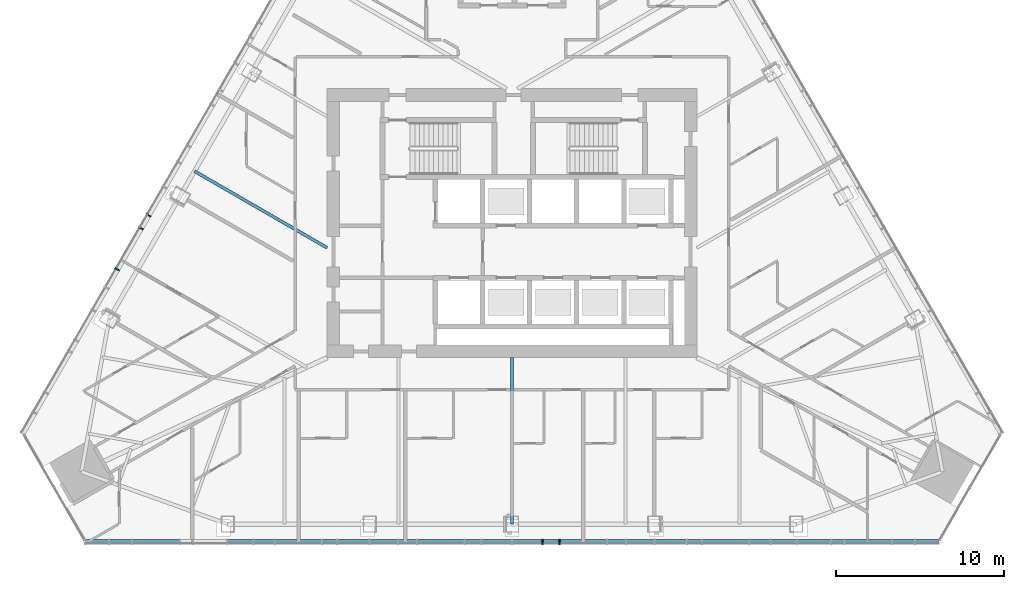
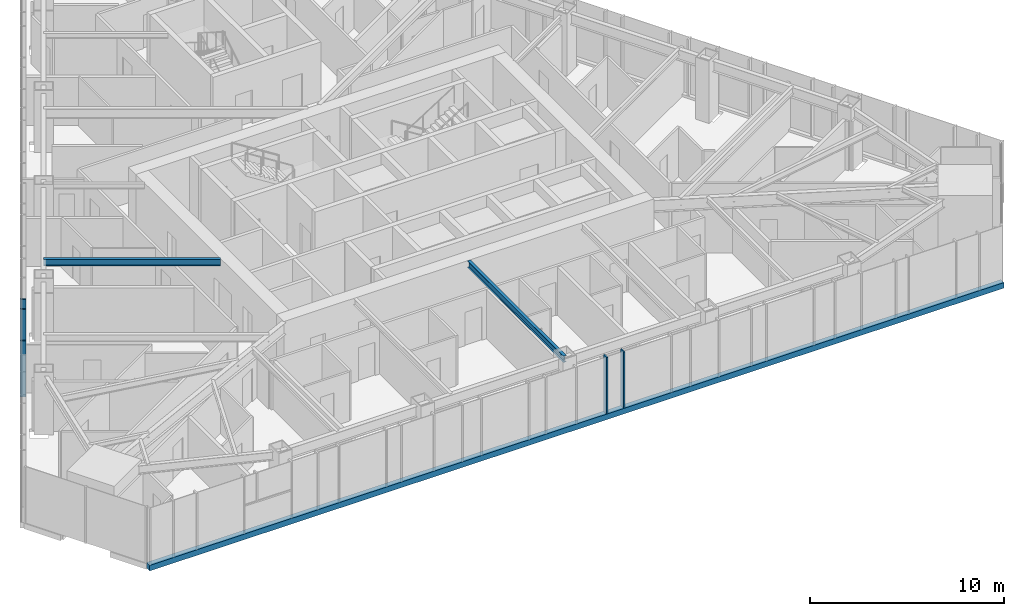
# One storey, part 3 of 19: 6 members, 2 beams, 2 elements without a shape of their own.
"""IFC4 building model written with IfcOpenShell, lengths in metres."""

import ifcopenshell
import ifcopenshell.guid

model = None  # the IFC model being written
_history = None  # IfcOwnerHistory: only IFC2X3 demands one
_inside = {}  # id of a spatial element -> (the spatial element, [elements in it])
_under = {}  # id of a project, library or spatial element -> (it, [spatial elements below it])
_declared = {}  # id of a project -> (the project, [libraries it declares])
_typed = {}  # id of a type object -> (the type object, [elements of that type])
_made_of = {}  # id of a material, layer set ... -> (it, [elements and type objects made of it])


def new_model(schema):
    """Start an empty IFC model of exactly this schema.

    Asked for "IFC4X3", IfcOpenShell would pick the latest addendum, in which some entities
    have other attributes; the version numbers below select the first issue.
    IFC2X3 requires an IfcOwnerHistory on every rooted entity: one is made here for all.
    """
    global model, _history
    if schema == "IFC4X3":
        model = ifcopenshell.file(schema_version=(4, 3, 0, 0))
    else:
        model = ifcopenshell.file(schema=schema)
    _inside.clear()
    _under.clear()
    _declared.clear()
    _typed.clear()
    _made_of.clear()
    _history = None
    if model.schema == "IFC2X3":
        org = make("IfcOrganization", Name="unknown")
        user = make(
            "IfcPersonAndOrganization",
            ThePerson=make("IfcPerson", FamilyName="unknown"),
            TheOrganization=org,
        )
        app = make(
            "IfcApplication",
            ApplicationDeveloper=org,
            Version="unknown",
            ApplicationFullName="unknown",
            ApplicationIdentifier="unknown",
        )
        _history = make(
            "IfcOwnerHistory",
            OwningUser=user,
            OwningApplication=app,
            ChangeAction="ADDED",
            CreationDate=0,
        )
    return model


def make(cls, **values):
    """One entity of the class cls with the attributes given. An attribute that is None is left unset."""
    return model.create_entity(
        cls, **{name: value for name, value in values.items() if value is not None}
    )


def rooted(cls, **values):
    """An entity with a GlobalId (a new one), such as an element, a storey or a relation."""
    return make(cls, GlobalId=ifcopenshell.guid.new(), OwnerHistory=_history, **values)


def si_unit(unit_type, name, prefix=None):
    """IfcSIUnit, for example si_unit("LENGTHUNIT", "METRE", prefix="MILLI")."""
    return make("IfcSIUnit", UnitType=unit_type, Prefix=prefix, Name=name)


def assignment(units):
    """IfcUnitAssignment: the units of a project."""
    return None if units is None else make("IfcUnitAssignment", Units=units)


def point(xyz):
    """IfcCartesianPoint."""
    return None if xyz is None else make("IfcCartesianPoint", Coordinates=xyz)


def direction(xyz):
    """IfcDirection."""
    return None if xyz is None else make("IfcDirection", DirectionRatios=xyz)


def frame(location, z_axis=None, x_axis=None):
    """IfcAxis2Placement3D, a coordinate frame: its origin and axes. An axis left out is left unset."""
    return make(
        "IfcAxis2Placement3D",
        Location=point(location),
        Axis=direction(z_axis),
        RefDirection=direction(x_axis),
    )


def frame_2d(location, x_axis=None):
    """IfcAxis2Placement2D, a coordinate frame in the plane: its origin and x axis."""
    return make(
        "IfcAxis2Placement2D", Location=point(location), RefDirection=direction(x_axis)
    )


def origin():
    """The frame at (0, 0, 0) with its axes left unset."""
    return frame((0.0, 0.0, 0.0))


def origin_2d():
    """The frame at (0, 0) in the plane with its x axis left unset."""
    return frame_2d((0.0, 0.0))


def place(relative_to, where):
    """IfcLocalPlacement: puts the frame where relative to a parent placement (None: the world)."""
    return make(
        "IfcLocalPlacement", PlacementRelTo=relative_to, RelativePlacement=where
    )


def context(
    kind, dimensions, precision=None, world=None, true_north=None, identifier=None
):
    """IfcGeometricRepresentationContext, for example the 3D "Model" context."""
    return make(
        "IfcGeometricRepresentationContext",
        ContextIdentifier=identifier,
        ContextType=kind,
        CoordinateSpaceDimension=dimensions,
        Precision=precision,
        WorldCoordinateSystem=world,
        TrueNorth=true_north,
    )


def subcontext(parent, identifier, kind, view, scale=None):
    """IfcGeometricRepresentationSubContext, for example "Body" below "Model"."""
    return make(
        "IfcGeometricRepresentationSubContext",
        ContextIdentifier=identifier,
        ContextType=kind,
        ParentContext=parent,
        TargetScale=scale,
        TargetView=view,
    )


def project(units=None, contexts=None):
    """IfcProject with its units and contexts."""
    return rooted(
        "IfcProject",
        Name="project",
        RepresentationContexts=contexts,
        UnitsInContext=assignment(units),
    )


def spatial(cls, under=None, at=None, **own):
    """A site, building, storey or space (cls), placed at a placement, below another one or the project."""
    s = rooted(cls, ObjectPlacement=at, **own)
    if under is not None:
        _under.setdefault(under.id(), (under, []))[1].append(s)
    return s


def profile(cls, at=None, kind="AREA", **sizes):
    """A parametric profile (cls). Its sizes go by their IFC names, for example OverallWidth=200.0."""
    return make(cls, ProfileType=kind, Position=at, **sizes)


def rectangle(**sizes):
    """IfcRectangleProfileDef."""
    return profile("IfcRectangleProfileDef", **sizes)


def i_section(**sizes):
    """IfcIShapeProfileDef."""
    return profile("IfcIShapeProfileDef", **sizes)


def extrude(swept, where, along, depth):
    """IfcExtrudedAreaSolid: the profile swept, set in the frame where, extruded along a direction by depth."""
    return make(
        "IfcExtrudedAreaSolid",
        SweptArea=swept,
        Position=where,
        ExtrudedDirection=direction(along),
        Depth=depth,
    )


def shape(context_of_items, identifier, shape_type, items):
    """IfcShapeRepresentation: the items that make up one representation, for example the "Body"."""
    return make(
        "IfcShapeRepresentation",
        ContextOfItems=context_of_items,
        RepresentationIdentifier=identifier,
        RepresentationType=shape_type,
        Items=items,
    )


def material(Name=None, Category=None):
    """IfcMaterial."""
    return make("IfcMaterial", Name=Name, Category=Category)


def layer(
    of_material, thickness, ventilated=None, Name=None, Category=None, Priority=None
):
    """IfcMaterialLayer: one layer of a wall or slab, of a material (None: an air gap)."""
    return make(
        "IfcMaterialLayer",
        Material=of_material,
        LayerThickness=thickness,
        IsVentilated=ventilated,
        Name=Name,
        Category=Category,
        Priority=Priority,
    )


def layer_set(layers, Name=None):
    """IfcMaterialLayerSet."""
    return make("IfcMaterialLayerSet", MaterialLayers=layers, LayerSetName=Name)


def material_profile(
    of_material, cross_section, Name=None, Category=None, Priority=None
):
    """IfcMaterialProfile: a cross section and its material."""
    return make(
        "IfcMaterialProfile",
        Name=Name,
        Material=of_material,
        Profile=cross_section,
        Priority=Priority,
        Category=Category,
    )


def profile_set(profiles, Name=None, composite=None):
    """IfcMaterialProfileSet."""
    return make(
        "IfcMaterialProfileSet",
        Name=Name,
        MaterialProfiles=profiles,
        CompositeProfile=composite,
    )


def made_of(thing, what):
    """Note that an element or type object is made of a material, layer set ...; save() writes the relation."""
    if what is not None:
        _made_of.setdefault(what.id(), (what, []))[1].append(thing)
    return thing


def type_object(cls, material=None, **own):
    """A type object (cls), such as IfcWallType, which elements share."""
    return made_of(rooted(cls, **own), material)


def element(
    cls,
    number,
    at=None,
    inside=None,
    cuts=None,
    type_object=None,
    material=None,
    context=None,
    identifier="Body",
    shape_type=None,
    held_by="IfcProductDefinitionShape",
    body=None,
    shapes=None,
    **own,
):
    """One element of the class cls, such as IfcWall. Its Tag is "e" and its number.

    at: its placement. inside: the storey or other place that contains it. cuts: it is an
    opening in that element (IfcRelVoidsElement). A single representation is given by context,
    identifier, shape_type and body (its items); several are given by shapes. held_by: the class
    of the entity that holds the representations. save() writes the other relations.
    """
    e = rooted(cls, Tag="e%d" % number, ObjectPlacement=at, **own)
    if body is not None:
        shapes = [shape(context, identifier, shape_type, body)]
    if shapes is not None:
        e.Representation = make(held_by, Representations=shapes)
    if inside is not None:
        _inside.setdefault(inside.id(), (inside, []))[1].append(e)
    if cuts is not None:
        rooted(
            "IfcRelVoidsElement", RelatingBuildingElement=cuts, RelatedOpeningElement=e
        )
    if type_object is not None:
        _typed.setdefault(type_object.id(), (type_object, []))[1].append(e)
    return made_of(e, material)


def aggregate(whole, parts):
    """IfcRelAggregates: a whole, such as a stair, and the parts it consists of."""
    return rooted("IfcRelAggregates", RelatingObject=whole, RelatedObjects=parts)


def save(model, path):
    """Write the relations noted so far, then the file.

    IfcRelAggregates (storeys below a building ...), IfcRelContainedInSpatialStructure (elements
    in a storey), IfcRelDefinesByType, IfcRelAssociatesMaterial and IfcRelDeclares: one each for
    every whole, place, type object, material and project.
    """
    for whole, parts in _under.values():
        aggregate(whole, parts)
    for where, things in _inside.values():
        rooted(
            "IfcRelContainedInSpatialStructure",
            RelatedElements=things,
            RelatingStructure=where,
        )
    for kind, things in _typed.values():
        rooted("IfcRelDefinesByType", RelatedObjects=things, RelatingType=kind)
    for what, things in _made_of.values():
        rooted("IfcRelAssociatesMaterial", RelatedObjects=things, RelatingMaterial=what)
    for by, libraries in _declared.values():
        rooted("IfcRelDeclares", RelatingContext=by, RelatedDefinitions=libraries)
    model.write(path)


model = new_model("IFC4")

# Units and contexts
model_context = context("Model", 3, precision=1e-05, world=origin(), true_north=direction((0.0, 1.0)))
body_context = subcontext(model_context, "Body", "Model", "MODEL_VIEW")
ifc_project = project(units=[si_unit("LENGTHUNIT", "METRE"), si_unit("AREAUNIT", "SQUARE_METRE"), si_unit("VOLUMEUNIT", "CUBIC_METRE"), si_unit("PLANEANGLEUNIT", "RADIAN"), si_unit("MASSUNIT", "GRAM", prefix="KILO")], contexts=[model_context])

# Site, building, storey
site_placement = place(None, origin())
site = spatial("IfcSite", under=ifc_project, at=site_placement, CompositionType="ELEMENT")
building_placement = place(site_placement, origin())
building = spatial("IfcBuilding", under=site, at=building_placement, Name="Firuza Gate Tower and Library", CompositionType="ELEMENT")
storey_placement = place(building_placement, frame((0.0, 0.0, 210.39990234375)))
storey = spatial("IfcBuildingStorey", under=building, at=storey_placement, Name="L49", CompositionType="ELEMENT", Elevation=210.39990234375)

# Curtain wall, members
ifc_material_1 = material(Name="Aluminium 6063-T6", Category="aluminium")
ifc_layer = layer(ifc_material_1, 0.14990234375)
ifc_layer_set = layer_set([ifc_layer], Name="Unitised curtain wall, hotel")
curtain_wall_type = type_object("IfcCurtainWallType", Name="Unitised curtain wall, hotel", PredefinedType="NOTDEFINED", material=ifc_layer_set)
placement = place(storey_placement, origin())
curtain_wall_1 = element("IfcCurtainWall", 1, at=placement, inside=storey, type_object=curtain_wall_type, Name="CW2 L49 S face", PredefinedType="NOTDEFINED")
ifc_material_2 = material(Name="Aluminium 6063-T6", Category="aluminium")
ifc_material_profile_1 = material_profile(ifc_material_2, rectangle(XDim=0.320068359375, YDim=0.080078125, at=origin_2d()))
ifc_profile_set_1 = profile_set([ifc_material_profile_1], Name="Aluminium 6063-T6")
member_type_1 = type_object("IfcMemberType", Name="Curtain wall mullion 80x320", PredefinedType="MULLION", material=ifc_profile_set_1)
member_1_placement = place(storey_placement, frame((77.823486328125, 56.037353515625, 0.150146484375), z_axis=(0.0, 0.0, 1.0), x_axis=(0.0, 1.0, 0.0)))
member_1 = element("IfcMember", 2, at=member_1_placement, type_object=member_type_1, Name="Mullion", PredefinedType="MULLION", context=body_context, shape_type="SweptSolid", body=[
    extrude(rectangle(XDim=0.320068359375, YDim=0.080078125, at=origin_2d()), origin(), (0.0, 0.0, 1.0), 3.550048828125),
])
member_2_placement = place(storey_placement, frame((76.81396484375, 56.037353515625, 0.150146484375), z_axis=(0.0, 0.0, 1.0), x_axis=(0.0, 1.0, 0.0)))
member_2 = element("IfcMember", 3, at=member_2_placement, type_object=member_type_1, Name="Mullion", PredefinedType="MULLION", context=body_context, shape_type="SweptSolid", body=[
    extrude(rectangle(XDim=0.320068359375, YDim=0.080078125, at=origin_2d()), origin(), (0.0, 0.0, 1.0), 3.550048828125),
])

curtain_wall_2 = element("IfcCurtainWall", 4, at=placement, inside=storey, type_object=curtain_wall_type, Name="CW2 L49 W face", PredefinedType="NOTDEFINED")
member_3_placement = place(storey_placement, frame((52.93115234375, 74.700927734375, 0.150146484375), z_axis=(0.0, 0.0, 1.0), x_axis=(0.866025403784, -0.5, 0.0)))
member_3 = element("IfcMember", 5, at=member_3_placement, type_object=member_type_1, Name="Mullion", PredefinedType="MULLION", context=body_context, shape_type="SweptSolid", body=[
    extrude(rectangle(XDim=0.320068359375, YDim=0.080078125, at=origin_2d()), origin(), (0.0, 0.0, 1.0), 3.550048828125),
])
member_4_placement = place(storey_placement, frame((51.51953125, 72.255859375, 0.150146484375), z_axis=(0.0, 0.0, 1.0), x_axis=(0.866025403784, -0.5, 0.0)))
member_4 = element("IfcMember", 6, at=member_4_placement, type_object=member_type_1, Name="Mullion", PredefinedType="MULLION", context=body_context, shape_type="SweptSolid", body=[
    extrude(rectangle(XDim=0.320068359375, YDim=0.080078125, at=origin_2d()), origin(), (0.0, 0.0, 1.0), 3.550048828125),
])
member_5_placement = place(storey_placement, frame((53.3740234375, 75.468017578125, 0.150146484375), z_axis=(0.0, 0.0, 1.0), x_axis=(0.866025403784, -0.5, 0.0)))
member_5 = element("IfcMember", 7, at=member_5_placement, type_object=member_type_1, Name="Mullion", PredefinedType="MULLION", context=body_context, shape_type="SweptSolid", body=[
    extrude(rectangle(XDim=0.320068359375, YDim=0.080078125, at=origin_2d()), origin(), (0.0, 0.0, 1.0), 3.550048828125),
])
aggregate(curtain_wall_2, [member_3, member_4, member_5])

# Member
ifc_material_3 = material(Name="Aluminium 6063-T6", Category="aluminium")
ifc_material_profile_2 = material_profile(ifc_material_3, rectangle(XDim=0.320068359375, YDim=0.35009765625, at=origin_2d()))
ifc_profile_set_2 = profile_set([ifc_material_profile_2], Name="Aluminium 6063-T6")
member_type_2 = type_object("IfcMemberType", Name="Curtain wall transom 350x320", PredefinedType="USERDEFINED", material=ifc_profile_set_2)
member_6_placement = place(storey_placement, frame((49.589599609375, 56.037353515625, -0.02490234375), z_axis=(1.0, 0.0, 0.0), x_axis=(0.0, 1.0, 0.0)))
member_6 = element("IfcMember", 8, at=member_6_placement, type_object=member_type_2, Name="Transom", ObjectType="TRANSOM", PredefinedType="USERDEFINED", context=body_context, shape_type="SweptSolid", body=[
    extrude(rectangle(XDim=0.320068359375, YDim=0.35009765625, at=origin_2d()), origin(), (0.0, 0.0, 1.0), 50.82080078125),
])

aggregate(curtain_wall_1, [member_1, member_6, member_2])

# Beams
ifc_material_4 = material(Name="Steel S355", Category="steel")
ifc_material_profile_3 = material_profile(ifc_material_4, i_section(OverallWidth=0.177978515625, OverallDepth=0.406982421875, WebThickness=0.0078125, FlangeThickness=0.0126953125, at=origin_2d()))
ifc_profile_set_3 = profile_set([ifc_material_profile_3], Name="Steel S355")
beam_type = type_object("IfcBeamType", Name="W410x60 Floor beam", PredefinedType="JOIST", material=ifc_profile_set_3)
beam_1_placement = place(storey_placement, frame((75.0, 57.097412109375, 3.49658203125), z_axis=(0.0, 1.0, 0.0), x_axis=(-1.0, 0.0, 0.0)))
element("IfcBeam", 9, at=beam_1_placement, inside=storey, type_object=beam_type, Name="Floor beam L49 s22", PredefinedType="JOIST", context=body_context, shape_type="SweptSolid", body=[
    extrude(i_section(OverallWidth=0.177978515625, OverallDepth=0.406982421875, WebThickness=0.0078125, FlangeThickness=0.0126953125, at=origin_2d()), origin(), (0.0, 0.0, 1.0), 9.902587890625),
])
beam_2_placement = place(storey_placement, frame((56.11376953125, 78.093017578125, 3.49658203125), z_axis=(0.86602039319, -0.500008678503, 0.0), x_axis=(0.500008678503, 0.86602039319, 0.0)))
element("IfcBeam", 10, at=beam_2_placement, inside=storey, type_object=beam_type, Name="Floor beam L49 s83", PredefinedType="JOIST", context=body_context, shape_type="SweptSolid", body=[
    extrude(i_section(OverallWidth=0.177978515625, OverallDepth=0.406982421875, WebThickness=0.0078125, FlangeThickness=0.0126953125, at=origin_2d()), origin(), (0.0, 0.0, 1.0), 9.106201171875),
])

save(model, "model.ifc")
